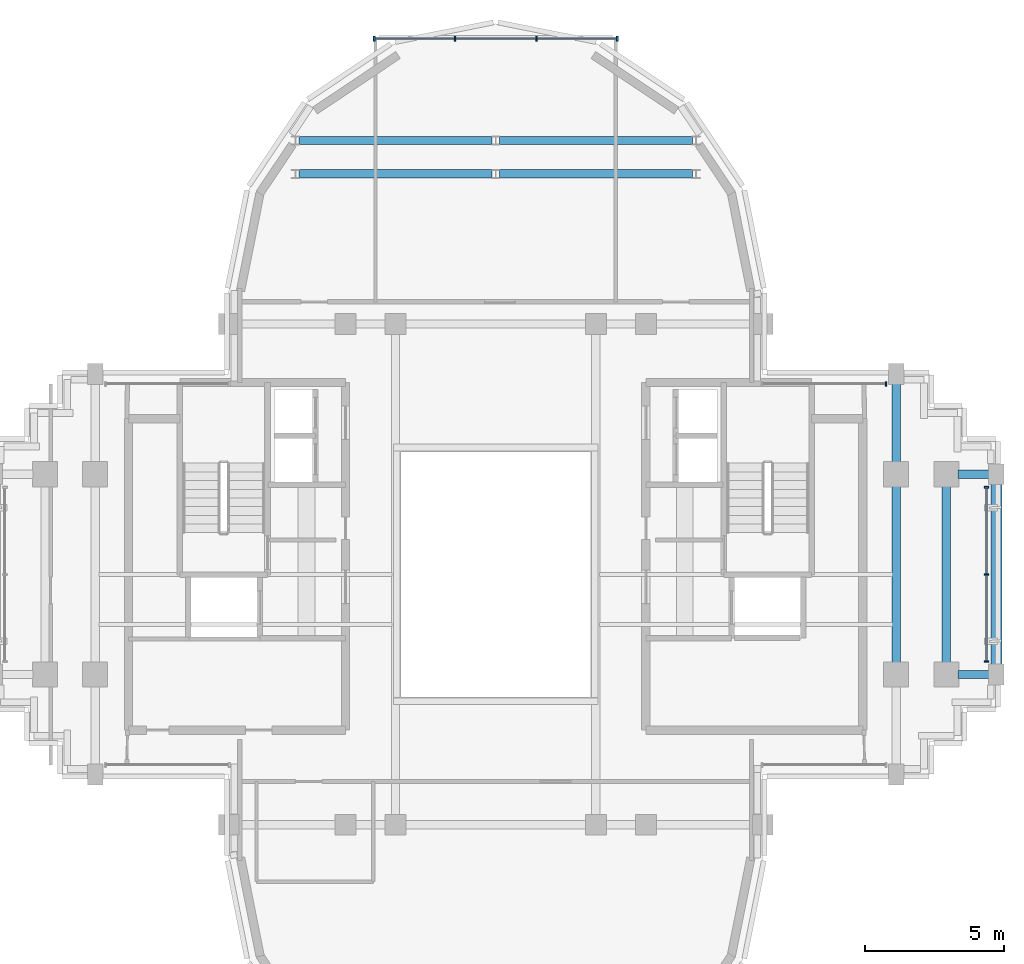
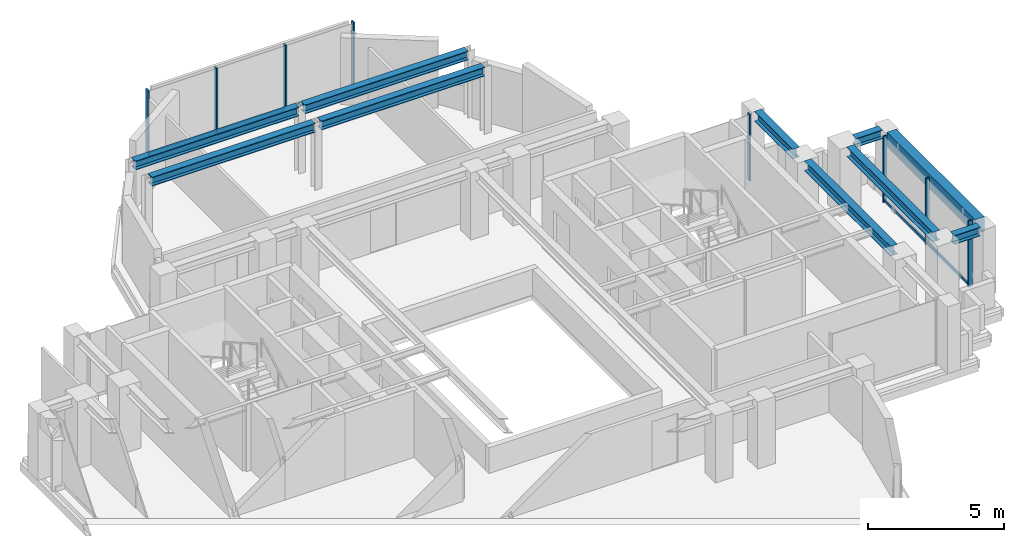
# One storey, part 6 of 12: 13 members, 10 beams, 3 elements without a shape of their own.
"""IFC4 building model written with IfcOpenShell, lengths in metres."""

from ifc_helpers import new_model, si_unit, direction, frame, origin, origin_2d, place, context, subcontext, project, spatial, rectangle, i_section, extrude, source, transform, mapped, material, material_profile, profile_set, type_object, element, aggregate, save


model = new_model("IFC4")

# Units and contexts
model_context = context("Model", 3, precision=1e-05, world=origin(), true_north=direction((0.0, 1.0)))
body_context = subcontext(model_context, "Body", "Model", "MODEL_VIEW")
ifc_project = project(units=[si_unit("LENGTHUNIT", "METRE"), si_unit("AREAUNIT", "SQUARE_METRE"), si_unit("VOLUMEUNIT", "CUBIC_METRE"), si_unit("PLANEANGLEUNIT", "RADIAN"), si_unit("MASSUNIT", "GRAM", prefix="KILO")], contexts=[model_context])

# Site, building, storey
site_placement = place(None, origin())
site = spatial("IfcSite", under=ifc_project, at=site_placement, CompositionType="ELEMENT")
building_placement = place(site_placement, origin())
building = spatial("IfcBuilding", under=site, at=building_placement, Name="Keilestroom Media Tower", CompositionType="ELEMENT")
storey_placement = place(building_placement, frame((0.0, 0.0, 246.0)))
storey = spatial("IfcBuildingStorey", under=building, at=storey_placement, Name="L68", CompositionType="ELEMENT", Elevation=246.0)

# Beams
ifc_material_1 = material(Name="Steel S355", Category="steel")
ifc_material_profile_1 = material_profile(ifc_material_1, i_section(OverallWidth=0.300048828125, OverallDepth=0.39990234375, WebThickness=0.011474609375, FlangeThickness=0.02392578125, at=origin_2d()), Name="HEB 400")
ifc_profile_set_1 = profile_set([ifc_material_profile_1], Name="Steel S355")
beam_type_1 = type_object("IfcBeamType", Name="Primary-Structural-Girder-HEB-400", PredefinedType="BEAM", material=ifc_profile_set_1)
shared_shape_1 = source(origin(), body_context, "Body", "SweptSolid", [
    extrude(i_section(OverallWidth=0.300048828125, OverallDepth=0.39990234375, WebThickness=0.011474609375, FlangeThickness=0.02392578125, at=origin_2d()), origin(), (0.0, 0.0, 1.0), 6.940185546875),
])
for number, where, z_axis, x_axis, name in (
    (1, (-7.070068359375, 14.39990234375, 2.81005859375), (1.0, 0.0, 0.0), (0.0, 1.0, 0.0), "L68 Beam BG-8 BM-L68-EW-021"),
    (2, (0.1298828125, 14.39990234375, 2.81005859375), (1.0, 0.0, 0.0), (0.0, 1.0, 0.0), "L68 Beam BG-8 BM-L68-EW-022"),
    (3, (-7.070068359375, 15.60009765625, 2.81005859375), (1.0, 0.0, 0.0), (0.0, 1.0, 0.0), "L68 Beam BG-8 BM-L68-EW-023"),
    (4, (0.1298828125, 15.60009765625, 2.81005859375), (1.0, 0.0, 0.0), (0.0, 1.0, 0.0), "L68 Beam BG-8 BM-L68-EW-024"),
):
    element("IfcBeam", number, at=place(storey_placement, frame(where, z_axis=z_axis, x_axis=x_axis)), inside=storey, type_object=beam_type_1, Name=name, PredefinedType="BEAM", context=body_context, shape_type="MappedRepresentation", body=[
        mapped(shared_shape_1, transform((0.0, 0.0, 0.0), x_axis=(1.0, 0.0, 0.0), y_axis=(0.0, 1.0, 0.0), z_axis=(0.0, 0.0, 1.0), scale=1.0)),
    ])
shared_shape_2 = source(origin(), body_context, "Body", "SweptSolid", [
    extrude(i_section(OverallWidth=0.300048828125, OverallDepth=0.39990234375, WebThickness=0.011474609375, FlangeThickness=0.02392578125, at=origin_2d()), origin(), (0.0, 0.0, 1.0), 1.115234375),
])
for number, where, z_axis, x_axis, name in (
    (5, (16.6298828125, -3.60009765625, 2.81005859375), (1.0, 0.0, 0.0), (0.0, 1.0, 0.0), "L68 Beam BG-8 BM-L68-EW-011"),
    (6, (16.6298828125, 3.60009765625, 2.81005859375), (1.0, 0.0, 0.0), (0.0, 1.0, 0.0), "L68 Beam BG-8 BM-L68-EW-015"),
):
    element("IfcBeam", number, at=place(storey_placement, frame(where, z_axis=z_axis, x_axis=x_axis)), inside=storey, type_object=beam_type_1, Name=name, PredefinedType="BEAM", context=body_context, shape_type="MappedRepresentation", body=[
        mapped(shared_shape_2, transform((0.0, 0.0, 0.0), x_axis=(1.0, 0.0, 0.0), y_axis=(0.0, 1.0, 0.0), z_axis=(0.0, 0.0, 1.0), scale=1.0)),
    ])
ifc_material_2 = material(Name="Precast concrete C40/50", Category="concrete")
ifc_material_profile_2 = material_profile(ifc_material_2, rectangle(XDim=0.39990234375, YDim=0.64990234375, at=origin_2d()), Name="PC 400x650")
ifc_profile_set_2 = profile_set([ifc_material_profile_2], Name="Precast concrete C40/50")
beam_type_2 = type_object("IfcBeamType", Name="Perimeter-Spandrel-Beam-PC-400x650", PredefinedType="SPANDREL", material=ifc_profile_set_2)
shared_shape_3 = source(origin(), body_context, "Body", "SweptSolid", [
    extrude(rectangle(XDim=0.39990234375, YDim=0.64990234375, at=origin_2d()), origin(), (0.0, 0.0, 1.0), 6.490234375),
])
beam_1_placement = place(storey_placement, frame((18.0, -3.2451171875, 2.68505859375), z_axis=(0.0, 1.0, 0.0), x_axis=(-1.0, 0.0, 0.0)))
element("IfcBeam", 7, at=beam_1_placement, inside=storey, type_object=beam_type_2, Name="L68 Beam SPB-2 BM-L68-NS-044", PredefinedType="SPANDREL", context=body_context, shape_type="MappedRepresentation", body=[
    mapped(shared_shape_3, transform((0.0, 0.0, 0.0), x_axis=(1.0, 0.0, 0.0), y_axis=(0.0, 1.0, 0.0), z_axis=(0.0, 0.0, 1.0), scale=1.0)),
])
ifc_material_profile_3 = material_profile(ifc_material_1, i_section(OverallWidth=0.300048828125, OverallDepth=0.43994140625, WebThickness=0.011474609375, FlangeThickness=0.02099609375, at=origin_2d()), Name="HEA 450")
ifc_profile_set_3 = profile_set([ifc_material_profile_3], Name="Steel S355")
beam_type_3 = type_object("IfcBeamType", Name="Primary-Structural-Girder-HEA-450", PredefinedType="BEAM", material=ifc_profile_set_3)
shared_shape_4 = source(origin(), body_context, "Body", "SweptSolid", [
    extrude(i_section(OverallWidth=0.300048828125, OverallDepth=0.43994140625, WebThickness=0.011474609375, FlangeThickness=0.02099609375, at=origin_2d()), origin(), (0.0, 0.0, 1.0), 6.33984375),
])
for number, where, z_axis, x_axis, name in (
    (8, (14.39990234375, -3.169921875, 2.7900390625), (0.0, 1.0, 0.0), (-1.0, 0.0, 0.0), "L68 Beam BG-11 BM-L68-NS-041"),
    (9, (16.199951171875, -3.169921875, 2.7900390625), (0.0, 1.0, 0.0), (-1.0, 0.0, 0.0), "L68 Beam BG-11 BM-L68-NS-043"),
):
    element("IfcBeam", number, at=place(storey_placement, frame(where, z_axis=z_axis, x_axis=x_axis)), inside=storey, type_object=beam_type_3, Name=name, PredefinedType="BEAM", context=body_context, shape_type="MappedRepresentation", body=[
        mapped(shared_shape_4, transform((0.0, 0.0, 0.0), x_axis=(1.0, 0.0, 0.0), y_axis=(0.0, 1.0, 0.0), z_axis=(0.0, 0.0, 1.0), scale=1.0)),
    ])
shared_shape_5 = source(origin(), body_context, "Body", "SweptSolid", [
    extrude(i_section(OverallWidth=0.300048828125, OverallDepth=0.43994140625, WebThickness=0.011474609375, FlangeThickness=0.02099609375, at=origin_2d()), origin(), (0.0, 0.0, 1.0), 2.81494140625),
])
beam_2_placement = place(storey_placement, frame((14.39990234375, 4.030029296875, 2.7900390625), z_axis=(0.0, 1.0, 0.0), x_axis=(-1.0, 0.0, 0.0)))
element("IfcBeam", 10, at=beam_2_placement, inside=storey, type_object=beam_type_3, Name="L68 Beam BG-11 BM-L68-NS-042", PredefinedType="BEAM", context=body_context, shape_type="MappedRepresentation", body=[
    mapped(shared_shape_5, transform((0.0, 0.0, 0.0), x_axis=(1.0, 0.0, 0.0), y_axis=(0.0, 1.0, 0.0), z_axis=(0.0, 0.0, 1.0), scale=1.0)),
])

# Curtain wall, members
ifc_material_3 = material(Name="Anodised Aluminium Alloy", Category="aluminium")
curtain_wall_type_1 = type_object("IfcCurtainWallType", Name="Unitised-Curtain-Wall-CW-6", PredefinedType="NOTDEFINED", material=ifc_material_3)
curtain_wall_1_placement = place(storey_placement, origin())
curtain_wall_1 = element("IfcCurtainWall", 11, at=curtain_wall_1_placement, inside=storey, type_object=curtain_wall_type_1, Name="L68 Curtain Wall CW-6 CW-L68-LN-1", PredefinedType="NOTDEFINED")
ifc_material_profile_4 = material_profile(ifc_material_3, rectangle(XDim=0.06494140625, YDim=0.179931640625, at=origin_2d()), Name="ALU MULLION 65x180")
ifc_profile_set_4 = profile_set([ifc_material_profile_4], Name="Anodised Aluminium Alloy")
member_type_1 = type_object("IfcMemberType", Name="Curtain-Wall-Mullion-CW-6", PredefinedType="MULLION", material=ifc_profile_set_4)
shared_shape_6 = source(origin(), body_context, "Body", "SweptSolid", [
    extrude(rectangle(XDim=0.06494140625, YDim=0.179931640625, at=origin_2d()), origin(), (0.0, 0.0, 1.0), 2.97998046875),
])
member_1_placement = place(storey_placement, frame((-4.367431640625, 19.25, 0.0), z_axis=(0.0, 0.0, 1.0), x_axis=(1.0, 0.0, 0.0)))
member_1 = element("IfcMember", 12, at=member_1_placement, type_object=member_type_1, Name="CW-6 Mullion 00", PredefinedType="MULLION", context=body_context, shape_type="MappedRepresentation", body=[
    mapped(shared_shape_6, transform((0.0, 0.0, 0.0), x_axis=(1.0, 0.0, 0.0), y_axis=(0.0, 1.0, 0.0), z_axis=(0.0, 0.0, 1.0), scale=1.0)),
])
member_2_placement = place(storey_placement, frame((-1.466796875, 19.25, 0.0), z_axis=(0.0, 0.0, 1.0), x_axis=(1.0, 0.0, 0.0)))
member_2 = element("IfcMember", 13, at=member_2_placement, type_object=member_type_1, Name="CW-6 Mullion 01", PredefinedType="MULLION", context=body_context, shape_type="MappedRepresentation", body=[
    mapped(shared_shape_6, transform((0.0, 0.0, 0.0), x_axis=(1.0, 0.0, 0.0), y_axis=(0.0, 1.0, 0.0), z_axis=(0.0, 0.0, 1.0), scale=1.0)),
])
member_3_placement = place(storey_placement, frame((1.466796875, 19.25, 0.0), z_axis=(0.0, 0.0, 1.0), x_axis=(1.0, 0.0, 0.0)))
member_3 = element("IfcMember", 14, at=member_3_placement, type_object=member_type_1, Name="CW-6 Mullion 02", PredefinedType="MULLION", context=body_context, shape_type="MappedRepresentation", body=[
    mapped(shared_shape_6, transform((0.0, 0.0, 0.0), x_axis=(1.0, 0.0, 0.0), y_axis=(0.0, 1.0, 0.0), z_axis=(0.0, 0.0, 1.0), scale=1.0)),
])
member_4_placement = place(storey_placement, frame((4.367431640625, 19.25, 0.0), z_axis=(0.0, 0.0, 1.0), x_axis=(1.0, 0.0, 0.0)))
member_4 = element("IfcMember", 15, at=member_4_placement, type_object=member_type_1, Name="CW-6 Mullion 03", PredefinedType="MULLION", context=body_context, shape_type="MappedRepresentation", body=[
    mapped(shared_shape_6, transform((0.0, 0.0, 0.0), x_axis=(1.0, 0.0, 0.0), y_axis=(0.0, 1.0, 0.0), z_axis=(0.0, 0.0, 1.0), scale=1.0)),
])
ifc_material_profile_5 = material_profile(ifc_material_3, rectangle(XDim=0.06494140625, YDim=0.14990234375, at=origin_2d()), Name="ALU TRANSOM 65x150")
ifc_profile_set_5 = profile_set([ifc_material_profile_5], Name="Anodised Aluminium Alloy")
member_type_2 = type_object("IfcMemberType", Name="Curtain-Wall-Transom-CW-6", PredefinedType="USERDEFINED", material=ifc_profile_set_5)
shared_shape_7 = source(origin(), body_context, "Body", "SweptSolid", [
    extrude(rectangle(XDim=0.06494140625, YDim=0.14990234375, at=origin_2d()), origin(), (0.0, 0.0, 1.0), 2.839599609375),
])
member_5_placement = place(storey_placement, frame((-4.3369140625, 19.25, 0.074951171875), z_axis=(1.0, 0.0, 0.0), x_axis=(0.0, 1.0, 0.0)))
member_5 = element("IfcMember", 16, at=member_5_placement, type_object=member_type_2, Name="CW-6 Transom 00.1", ObjectType="TRANSOM", PredefinedType="USERDEFINED", context=body_context, shape_type="MappedRepresentation", body=[
    mapped(shared_shape_7, transform((0.0, 0.0, 0.0), x_axis=(1.0, 0.0, 0.0), y_axis=(0.0, 1.0, 0.0), z_axis=(0.0, 0.0, 1.0), scale=1.0)),
])
member_6_placement = place(storey_placement, frame((1.497314453125, 19.25, 0.074951171875), z_axis=(1.0, 0.0, 0.0), x_axis=(0.0, 1.0, 0.0)))
member_6 = element("IfcMember", 17, at=member_6_placement, type_object=member_type_2, Name="CW-6 Transom 02.1", ObjectType="TRANSOM", PredefinedType="USERDEFINED", context=body_context, shape_type="MappedRepresentation", body=[
    mapped(shared_shape_7, transform((0.0, 0.0, 0.0), x_axis=(1.0, 0.0, 0.0), y_axis=(0.0, 1.0, 0.0), z_axis=(0.0, 0.0, 1.0), scale=1.0)),
])
shared_shape_8 = source(origin(), body_context, "Body", "SweptSolid", [
    extrude(rectangle(XDim=0.06494140625, YDim=0.14990234375, at=origin_2d()), origin(), (0.0, 0.0, 1.0), 2.87255859375),
])
member_7_placement = place(storey_placement, frame((-1.436279296875, 19.25, 0.074951171875), z_axis=(1.0, 0.0, 0.0), x_axis=(0.0, 1.0, 0.0)))
member_7 = element("IfcMember", 18, at=member_7_placement, type_object=member_type_2, Name="CW-6 Transom 01.1", ObjectType="TRANSOM", PredefinedType="USERDEFINED", context=body_context, shape_type="MappedRepresentation", body=[
    mapped(shared_shape_8, transform((0.0, 0.0, 0.0), x_axis=(1.0, 0.0, 0.0), y_axis=(0.0, 1.0, 0.0), z_axis=(0.0, 0.0, 1.0), scale=1.0)),
])
aggregate(curtain_wall_1, [member_1, member_2, member_3, member_4, member_5, member_7, member_6])

curtain_wall_type_2 = type_object("IfcCurtainWallType", Name="Unitised-Curtain-Wall-CW-4", PredefinedType="NOTDEFINED", material=ifc_material_3)
curtain_wall_2_placement = place(storey_placement, origin())
curtain_wall_2 = element("IfcCurtainWall", 19, at=curtain_wall_2_placement, inside=storey, type_object=curtain_wall_type_2, Name="L68 Curtain Wall CW-4 CW-L68-E-1", PredefinedType="NOTDEFINED")
ifc_material_profile_6 = material_profile(ifc_material_3, rectangle(XDim=0.06005859375, YDim=0.159912109375, at=origin_2d()), Name="ALU MULLION 60x160")
ifc_profile_set_6 = profile_set([ifc_material_profile_6], Name="Anodised Aluminium Alloy")
member_type_3 = type_object("IfcMemberType", Name="Curtain-Wall-Mullion-CW-4", PredefinedType="MULLION", material=ifc_profile_set_6)
shared_shape_9 = source(origin(), body_context, "Body", "SweptSolid", [
    extrude(rectangle(XDim=0.06005859375, YDim=0.159912109375, at=origin_2d()), origin(), (0.0, 0.0, 1.0), 2.97998046875),
])
member_8_placement = place(storey_placement, frame((17.64990234375, -3.135009765625, 0.0), z_axis=(0.0, 0.0, 1.0), x_axis=(0.0, 1.0, 0.0)))
member_8 = element("IfcMember", 20, at=member_8_placement, type_object=member_type_3, Name="CW-4 Mullion 00", PredefinedType="MULLION", context=body_context, shape_type="MappedRepresentation", body=[
    mapped(shared_shape_9, transform((0.0, 0.0, 0.0), x_axis=(1.0, 0.0, 0.0), y_axis=(0.0, 1.0, 0.0), z_axis=(0.0, 0.0, 1.0), scale=1.0)),
])
member_9_placement = place(storey_placement, frame((17.64990234375, 0.0, 0.0), z_axis=(0.0, 0.0, 1.0), x_axis=(0.0, 1.0, 0.0)))
member_9 = element("IfcMember", 21, at=member_9_placement, type_object=member_type_3, Name="CW-4 Mullion 01", PredefinedType="MULLION", context=body_context, shape_type="MappedRepresentation", body=[
    mapped(shared_shape_9, transform((0.0, 0.0, 0.0), x_axis=(1.0, 0.0, 0.0), y_axis=(0.0, 1.0, 0.0), z_axis=(0.0, 0.0, 1.0), scale=1.0)),
])
member_10_placement = place(storey_placement, frame((17.64990234375, 3.135009765625, 0.0), z_axis=(0.0, 0.0, 1.0), x_axis=(0.0, 1.0, 0.0)))
member_10 = element("IfcMember", 22, at=member_10_placement, type_object=member_type_3, Name="CW-4 Mullion 02", PredefinedType="MULLION", context=body_context, shape_type="MappedRepresentation", body=[
    mapped(shared_shape_9, transform((0.0, 0.0, 0.0), x_axis=(1.0, 0.0, 0.0), y_axis=(0.0, 1.0, 0.0), z_axis=(0.0, 0.0, 1.0), scale=1.0)),
])

# Curtain wall, member
curtain_wall_3_placement = place(storey_placement, origin())
curtain_wall_3 = element("IfcCurtainWall", 23, at=curtain_wall_3_placement, inside=storey, type_object=curtain_wall_type_2, Name="L68 Curtain Wall CW-4 CW-L68-NE-1", PredefinedType="NOTDEFINED")
member_11_placement = place(storey_placement, frame((14.034912109375, 6.85009765625, 0.0), z_axis=(0.0, 0.0, 1.0), x_axis=(1.0, 0.0, 0.0)))
member_11 = element("IfcMember", 24, at=member_11_placement, type_object=member_type_3, Name="CW-4 Mullion 01", PredefinedType="MULLION", context=body_context, shape_type="MappedRepresentation", body=[
    mapped(shared_shape_9, transform((0.0, 0.0, 0.0), x_axis=(1.0, 0.0, 0.0), y_axis=(0.0, 1.0, 0.0), z_axis=(0.0, 0.0, 1.0), scale=1.0)),
])
aggregate(curtain_wall_3, [member_11])

# Member
ifc_material_profile_7 = material_profile(ifc_material_3, rectangle(XDim=0.06005859375, YDim=0.1298828125, at=origin_2d()), Name="ALU TRANSOM 60x130")
ifc_profile_set_7 = profile_set([ifc_material_profile_7], Name="Anodised Aluminium Alloy")
member_type_4 = type_object("IfcMemberType", Name="Curtain-Wall-Transom-CW-4", PredefinedType="USERDEFINED", material=ifc_profile_set_7)
shared_shape_10 = source(origin(), body_context, "Body", "SweptSolid", [
    extrude(rectangle(XDim=0.06005859375, YDim=0.1298828125, at=origin_2d()), origin(), (0.0, 0.0, 1.0), 3.078857421875),
])
member_12_placement = place(storey_placement, frame((17.64990234375, -3.10693359375, 0.06494140625), z_axis=(0.0, 1.0, 0.0), x_axis=(-1.0, 0.0, 0.0)))
member_12 = element("IfcMember", 25, at=member_12_placement, type_object=member_type_4, Name="CW-4 Transom 00.1", ObjectType="TRANSOM", PredefinedType="USERDEFINED", context=body_context, shape_type="MappedRepresentation", body=[
    mapped(shared_shape_10, transform((0.0, 0.0, 0.0), x_axis=(1.0, 0.0, 0.0), y_axis=(0.0, 1.0, 0.0), z_axis=(0.0, 0.0, 1.0), scale=1.0)),
])

member_13_placement = place(storey_placement, frame((17.64990234375, 0.028076171875, 0.06494140625), z_axis=(0.0, 1.0, 0.0), x_axis=(-1.0, 0.0, 0.0)))
member_13 = element("IfcMember", 26, at=member_13_placement, type_object=member_type_4, Name="CW-4 Transom 01.1", ObjectType="TRANSOM", PredefinedType="USERDEFINED", context=body_context, shape_type="MappedRepresentation", body=[
    mapped(shared_shape_10, transform((0.0, 0.0, 0.0), x_axis=(1.0, 0.0, 0.0), y_axis=(0.0, 1.0, 0.0), z_axis=(0.0, 0.0, 1.0), scale=1.0)),
])

aggregate(curtain_wall_2, [member_8, member_9, member_10, member_12, member_13])

save(model, "model.ifc")
